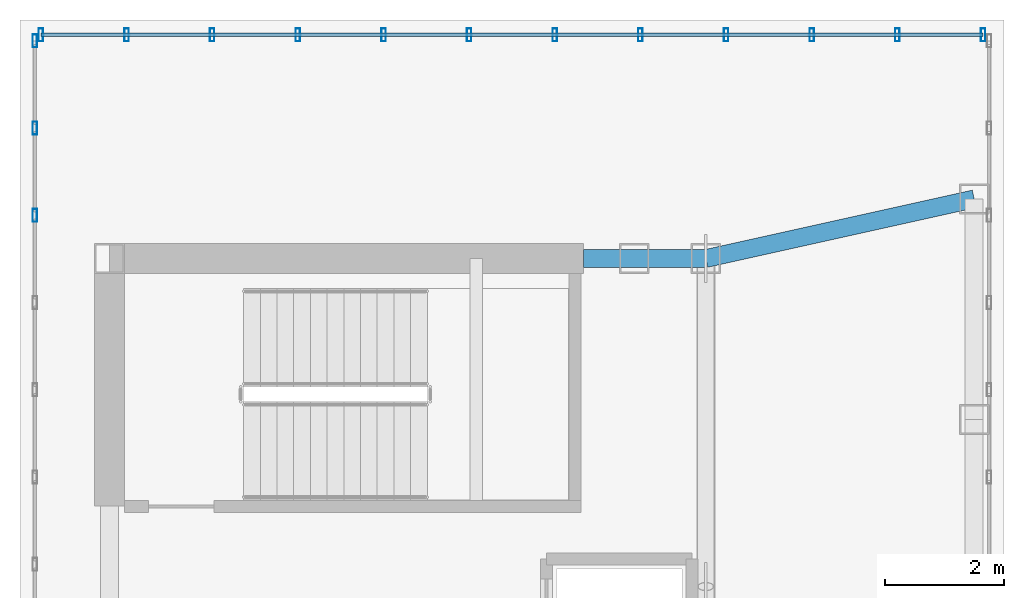
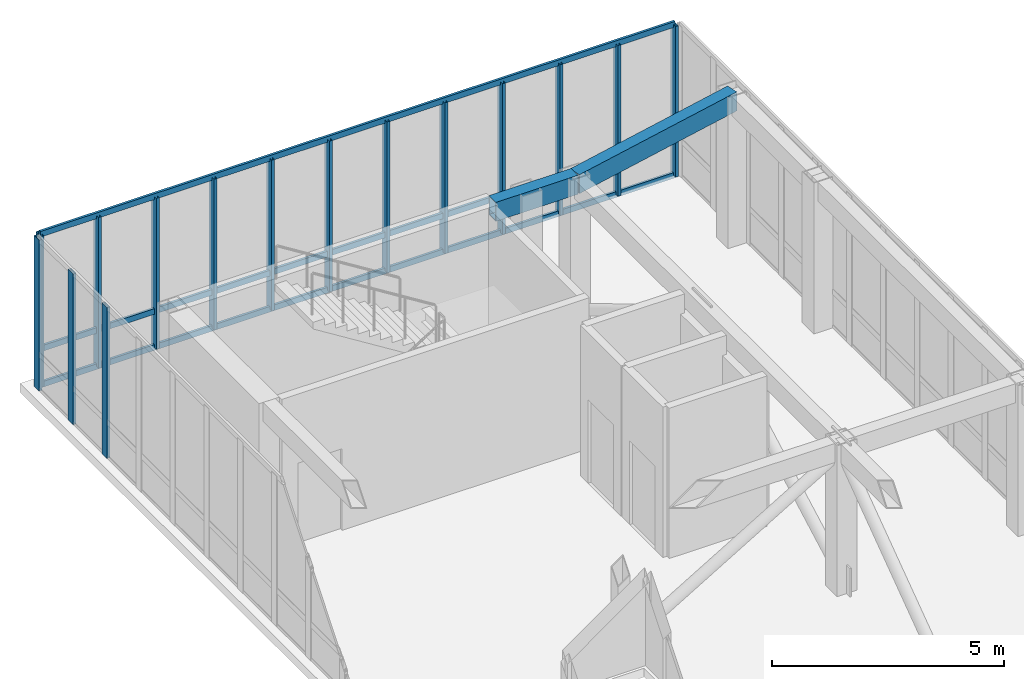
# One storey, part 9 of 13: 18 members, 2 beams, 2 elements without a shape of their own.
"""IFC4 building model written with IfcOpenShell, lengths in metres."""

from ifc_helpers import new_model, si_unit, direction, frame, origin, origin_2d, place, context, subcontext, project, spatial, hollow_rectangle, extrude, source, transform, mapped, material, layer, layer_set, material_profile, profile_set, type_object, element, aggregate, save


model = new_model("IFC4")

# Units and contexts
model_context = context("Model", 3, precision=1e-05, world=origin(), true_north=direction((0.0, 1.0)))
body_context = subcontext(model_context, "Body", "Model", "MODEL_VIEW")
ifc_project = project(units=[si_unit("LENGTHUNIT", "METRE"), si_unit("AREAUNIT", "SQUARE_METRE"), si_unit("VOLUMEUNIT", "CUBIC_METRE"), si_unit("PLANEANGLEUNIT", "RADIAN"), si_unit("MASSUNIT", "GRAM", prefix="KILO")], contexts=[model_context])

# Site, building, storey
site_placement = place(None, origin())
site = spatial("IfcSite", under=ifc_project, at=site_placement, CompositionType="ELEMENT")
building_placement = place(site_placement, origin())
building = spatial("IfcBuilding", under=site, at=building_placement, Name="Kharzan Plaza Tower", CompositionType="ELEMENT")
storey_placement = place(building_placement, frame((0.0, 0.0, 289.800048828125)))
storey = spatial("IfcBuildingStorey", under=building, at=storey_placement, Name="L78-CROWN", CompositionType="ELEMENT", Elevation=289.800048828125)

# Beams
ifc_material_1 = material(Name="Steel S355", Category="steel")
ifc_material_profile_1 = material_profile(ifc_material_1, hollow_rectangle(XDim=0.300048828125, YDim=0.5, WallThickness=0.02001953125, at=origin_2d()), Name="RHS500x300x20")
ifc_profile_set_1 = profile_set([ifc_material_profile_1], Name="Steel S355")
beam_type = type_object("IfcBeamType", Name="BM-CRN500", PredefinedType="BEAM", material=ifc_profile_set_1)
shared_shape_1 = source(origin(), body_context, "Body", "SweptSolid", [
    extrude(hollow_rectangle(XDim=0.300048828125, YDim=0.5, WallThickness=0.02001953125, at=origin_2d()), origin(), (0.0, 0.0, 1.0), 2.050048828125),
])
beam_1_placement = place(storey_placement, frame((12.449951171875, 29.5, 3.719970703125), z_axis=(1.0, 0.0, 0.0), x_axis=(0.0, 1.0, 0.0)))
element("IfcBeam", 1, at=beam_1_placement, inside=storey, type_object=beam_type, Name="L78-CROWN CROWN FRAME Lantern Ring Beam CRB-N2", PredefinedType="BEAM", context=body_context, shape_type="MappedRepresentation", body=[
    mapped(shared_shape_1, transform((0.0, 0.0, 0.0), x_axis=(1.0, 0.0, 0.0), y_axis=(0.0, 1.0, 0.0), z_axis=(0.0, 0.0, 1.0))),
])
shared_shape_2 = source(origin(), body_context, "Body", "SweptSolid", [
    extrude(hollow_rectangle(XDim=0.300048828125, YDim=0.5, WallThickness=0.02001953125, at=origin_2d()), origin(), (0.0, 0.0, 1.0), 4.60986328125),
])
beam_2_placement = place(storey_placement, frame((14.5, 29.5, 3.719970703125), z_axis=(0.976187060184, 0.216930457819, 0.0), x_axis=(-0.216930457819, 0.976187060184, 0.0)))
element("IfcBeam", 2, at=beam_2_placement, inside=storey, type_object=beam_type, Name="L78-CROWN CROWN FRAME Lantern Ring Beam CRB-N3", PredefinedType="BEAM", context=body_context, shape_type="MappedRepresentation", body=[
    mapped(shared_shape_2, transform((0.0, 0.0, 0.0), x_axis=(1.0, 0.0, 0.0), y_axis=(0.0, 1.0, 0.0), z_axis=(0.0, 0.0, 1.0))),
])

# Curtain wall, members
ifc_material_2 = material(Name="Unitised Bronze-Anodized Aluminium and Low-E Glass", Category="aluminium")
ifc_layer = layer(ifc_material_2, 0.199951171875)
ifc_layer_set = layer_set([ifc_layer], Name="Unitised Bronze-Anodized Aluminium and Low-E Glass")
curtain_wall_type = type_object("IfcCurtainWallType", Name="CW-LANTERN-6", PredefinedType="NOTDEFINED", material=ifc_layer_set)
curtain_wall_1_placement = place(storey_placement, origin())
curtain_wall_1 = element("IfcCurtainWall", 3, at=curtain_wall_1_placement, inside=storey, type_object=curtain_wall_type, Name="L78-CROWN Lantern Crown Illuminated Curtain Wall 3", PredefinedType="NOTDEFINED")
ifc_material_3 = material(Name="Anodized Bronze Aluminium", Category="aluminium")
ifc_material_profile_2 = material_profile(ifc_material_3, hollow_rectangle(XDim=0.074951171875, YDim=0.219970703125, WallThickness=0.00390625, at=origin_2d()), Name="ALU-M220x75x4")
ifc_profile_set_2 = profile_set([ifc_material_profile_2], Name="Anodized Bronze Aluminium")
member_type_1 = type_object("IfcMemberType", Name="MEM-CW-MUL200", PredefinedType="MULLION", material=ifc_profile_set_2)
shared_shape_3 = source(origin(), body_context, "Body", "SweptSolid", [
    extrude(hollow_rectangle(XDim=0.074951171875, YDim=0.219970703125, WallThickness=0.00390625, at=origin_2d()), origin(), (0.0, 0.0, 1.0), 3.969970703125),
])
member_1_placement = place(storey_placement, frame((19.14990234375, 33.25, 0.0), z_axis=(0.0, 0.0, 1.0), x_axis=(1.0, 0.0, 0.0)))
member_1 = element("IfcMember", 4, at=member_1_placement, type_object=member_type_1, Name="L78-CROWN Curtain-Wall Mullion 00", PredefinedType="MULLION", context=body_context, shape_type="MappedRepresentation", body=[
    mapped(shared_shape_3, transform((0.0, 0.0, 0.0), x_axis=(1.0, 0.0, 0.0), y_axis=(0.0, 1.0, 0.0), z_axis=(0.0, 0.0, 1.0))),
])
member_2_placement = place(storey_placement, frame((17.713623046875, 33.25, 0.0), z_axis=(0.0, 0.0, 1.0), x_axis=(1.0, 0.0, 0.0)))
member_2 = element("IfcMember", 5, at=member_2_placement, type_object=member_type_1, Name="L78-CROWN Curtain-Wall Mullion 01", PredefinedType="MULLION", context=body_context, shape_type="MappedRepresentation", body=[
    mapped(shared_shape_3, transform((0.0, 0.0, 0.0), x_axis=(1.0, 0.0, 0.0), y_axis=(0.0, 1.0, 0.0), z_axis=(0.0, 0.0, 1.0))),
])
member_3_placement = place(storey_placement, frame((16.27734375, 33.25, 0.0), z_axis=(0.0, 0.0, 1.0), x_axis=(1.0, 0.0, 0.0)))
member_3 = element("IfcMember", 6, at=member_3_placement, type_object=member_type_1, Name="L78-CROWN Curtain-Wall Mullion 02", PredefinedType="MULLION", context=body_context, shape_type="MappedRepresentation", body=[
    mapped(shared_shape_3, transform((0.0, 0.0, 0.0), x_axis=(1.0, 0.0, 0.0), y_axis=(0.0, 1.0, 0.0), z_axis=(0.0, 0.0, 1.0))),
])
member_4_placement = place(storey_placement, frame((14.8408203125, 33.25, 0.0), z_axis=(0.0, 0.0, 1.0), x_axis=(1.0, 0.0, 0.0)))
member_4 = element("IfcMember", 7, at=member_4_placement, type_object=member_type_1, Name="L78-CROWN Curtain-Wall Mullion 03", PredefinedType="MULLION", context=body_context, shape_type="MappedRepresentation", body=[
    mapped(shared_shape_3, transform((0.0, 0.0, 0.0), x_axis=(1.0, 0.0, 0.0), y_axis=(0.0, 1.0, 0.0), z_axis=(0.0, 0.0, 1.0))),
])
member_5_placement = place(storey_placement, frame((13.404541015625, 33.25, 0.0), z_axis=(0.0, 0.0, 1.0), x_axis=(1.0, 0.0, 0.0)))
member_5 = element("IfcMember", 8, at=member_5_placement, type_object=member_type_1, Name="L78-CROWN Curtain-Wall Mullion 04", PredefinedType="MULLION", context=body_context, shape_type="MappedRepresentation", body=[
    mapped(shared_shape_3, transform((0.0, 0.0, 0.0), x_axis=(1.0, 0.0, 0.0), y_axis=(0.0, 1.0, 0.0), z_axis=(0.0, 0.0, 1.0))),
])
member_6_placement = place(storey_placement, frame((11.96826171875, 33.25, 0.0), z_axis=(0.0, 0.0, 1.0), x_axis=(1.0, 0.0, 0.0)))
member_6 = element("IfcMember", 9, at=member_6_placement, type_object=member_type_1, Name="L78-CROWN Curtain-Wall Mullion 05", PredefinedType="MULLION", context=body_context, shape_type="MappedRepresentation", body=[
    mapped(shared_shape_3, transform((0.0, 0.0, 0.0), x_axis=(1.0, 0.0, 0.0), y_axis=(0.0, 1.0, 0.0), z_axis=(0.0, 0.0, 1.0))),
])
member_7_placement = place(storey_placement, frame((10.53173828125, 33.25, 0.0), z_axis=(0.0, 0.0, 1.0), x_axis=(1.0, 0.0, 0.0)))
member_7 = element("IfcMember", 10, at=member_7_placement, type_object=member_type_1, Name="L78-CROWN Curtain-Wall Mullion 06", PredefinedType="MULLION", context=body_context, shape_type="MappedRepresentation", body=[
    mapped(shared_shape_3, transform((0.0, 0.0, 0.0), x_axis=(1.0, 0.0, 0.0), y_axis=(0.0, 1.0, 0.0), z_axis=(0.0, 0.0, 1.0))),
])
member_8_placement = place(storey_placement, frame((9.095458984375, 33.25, 0.0), z_axis=(0.0, 0.0, 1.0), x_axis=(1.0, 0.0, 0.0)))
member_8 = element("IfcMember", 11, at=member_8_placement, type_object=member_type_1, Name="L78-CROWN Curtain-Wall Mullion 07", PredefinedType="MULLION", context=body_context, shape_type="MappedRepresentation", body=[
    mapped(shared_shape_3, transform((0.0, 0.0, 0.0), x_axis=(1.0, 0.0, 0.0), y_axis=(0.0, 1.0, 0.0), z_axis=(0.0, 0.0, 1.0))),
])
member_9_placement = place(storey_placement, frame((7.6591796875, 33.25, 0.0), z_axis=(0.0, 0.0, 1.0), x_axis=(1.0, 0.0, 0.0)))
member_9 = element("IfcMember", 12, at=member_9_placement, type_object=member_type_1, Name="L78-CROWN Curtain-Wall Mullion 08", PredefinedType="MULLION", context=body_context, shape_type="MappedRepresentation", body=[
    mapped(shared_shape_3, transform((0.0, 0.0, 0.0), x_axis=(1.0, 0.0, 0.0), y_axis=(0.0, 1.0, 0.0), z_axis=(0.0, 0.0, 1.0))),
])
member_10_placement = place(storey_placement, frame((6.22265625, 33.25, 0.0), z_axis=(0.0, 0.0, 1.0), x_axis=(1.0, 0.0, 0.0)))
member_10 = element("IfcMember", 13, at=member_10_placement, type_object=member_type_1, Name="L78-CROWN Curtain-Wall Mullion 09", PredefinedType="MULLION", context=body_context, shape_type="MappedRepresentation", body=[
    mapped(shared_shape_3, transform((0.0, 0.0, 0.0), x_axis=(1.0, 0.0, 0.0), y_axis=(0.0, 1.0, 0.0), z_axis=(0.0, 0.0, 1.0))),
])
member_11_placement = place(storey_placement, frame((4.786376953125, 33.25, 0.0), z_axis=(0.0, 0.0, 1.0), x_axis=(1.0, 0.0, 0.0)))
member_11 = element("IfcMember", 14, at=member_11_placement, type_object=member_type_1, Name="L78-CROWN Curtain-Wall Mullion 10", PredefinedType="MULLION", context=body_context, shape_type="MappedRepresentation", body=[
    mapped(shared_shape_3, transform((0.0, 0.0, 0.0), x_axis=(1.0, 0.0, 0.0), y_axis=(0.0, 1.0, 0.0), z_axis=(0.0, 0.0, 1.0))),
])
member_12_placement = place(storey_placement, frame((3.35009765625, 33.25, 0.0), z_axis=(0.0, 0.0, 1.0), x_axis=(1.0, 0.0, 0.0)))
member_12 = element("IfcMember", 15, at=member_12_placement, type_object=member_type_1, Name="L78-CROWN Curtain-Wall Mullion 11", PredefinedType="MULLION", context=body_context, shape_type="MappedRepresentation", body=[
    mapped(shared_shape_3, transform((0.0, 0.0, 0.0), x_axis=(1.0, 0.0, 0.0), y_axis=(0.0, 1.0, 0.0), z_axis=(0.0, 0.0, 1.0))),
])

curtain_wall_2_placement = place(storey_placement, origin())
curtain_wall_2 = element("IfcCurtainWall", 16, at=curtain_wall_2_placement, inside=storey, type_object=curtain_wall_type, Name="L78-CROWN Lantern Crown Illuminated Curtain Wall 4", PredefinedType="NOTDEFINED")
member_13_placement = place(storey_placement, frame((3.25, 33.14990234375, 0.0), z_axis=(0.0, 0.0, 1.0), x_axis=(1.0, 0.0, 0.0)))
member_13 = element("IfcMember", 17, at=member_13_placement, type_object=member_type_1, Name="L78-CROWN Curtain-Wall Mullion 00", PredefinedType="MULLION", context=body_context, shape_type="MappedRepresentation", body=[
    mapped(shared_shape_3, transform((0.0, 0.0, 0.0), x_axis=(1.0, 0.0, 0.0), y_axis=(0.0, 1.0, 0.0), z_axis=(0.0, 0.0, 1.0))),
])
member_14_placement = place(storey_placement, frame((3.25, 31.686767578125, 0.0), z_axis=(0.0, 0.0, 1.0), x_axis=(1.0, 0.0, 0.0)))
member_14 = element("IfcMember", 18, at=member_14_placement, type_object=member_type_1, Name="L78-CROWN Curtain-Wall Mullion 01", PredefinedType="MULLION", context=body_context, shape_type="MappedRepresentation", body=[
    mapped(shared_shape_3, transform((0.0, 0.0, 0.0), x_axis=(1.0, 0.0, 0.0), y_axis=(0.0, 1.0, 0.0), z_axis=(0.0, 0.0, 1.0))),
])
member_15_placement = place(storey_placement, frame((3.25, 30.2236328125, 0.0), z_axis=(0.0, 0.0, 1.0), x_axis=(1.0, 0.0, 0.0)))
member_15 = element("IfcMember", 19, at=member_15_placement, type_object=member_type_1, Name="L78-CROWN Curtain-Wall Mullion 02", PredefinedType="MULLION", context=body_context, shape_type="MappedRepresentation", body=[
    mapped(shared_shape_3, transform((0.0, 0.0, 0.0), x_axis=(1.0, 0.0, 0.0), y_axis=(0.0, 1.0, 0.0), z_axis=(0.0, 0.0, 1.0))),
])
aggregate(curtain_wall_2, [member_13, member_14, member_15])

# Member
ifc_material_profile_3 = material_profile(ifc_material_3, hollow_rectangle(XDim=0.06005859375, YDim=0.14990234375, WallThickness=0.00341796875, at=origin_2d()), Name="ALU-T150x60x3.5")
ifc_profile_set_3 = profile_set([ifc_material_profile_3], Name="Anodized Bronze Aluminium")
member_type_2 = type_object("IfcMemberType", Name="MEM-CW-TRN150", PredefinedType="USERDEFINED", material=ifc_profile_set_3)
shared_shape_4 = source(origin(), body_context, "Body", "SweptSolid", [
    extrude(hollow_rectangle(XDim=0.06005859375, YDim=0.14990234375, WallThickness=0.00341796875, at=origin_2d()), origin(), (0.0, 0.0, 1.0), 15.7998046875),
])
member_16_placement = place(storey_placement, frame((19.14990234375, 33.25, 0.0), z_axis=(-1.0, 0.0, 0.0), x_axis=(0.0, -1.0, 0.0)))
member_16 = element("IfcMember", 20, at=member_16_placement, type_object=member_type_2, Name="L78-CROWN Curtain-Wall Transom 1", ObjectType="TRANSOM", PredefinedType="USERDEFINED", context=body_context, shape_type="MappedRepresentation", body=[
    mapped(shared_shape_4, transform((0.0, 0.0, 0.0), x_axis=(1.0, 0.0, 0.0), y_axis=(0.0, 1.0, 0.0), z_axis=(0.0, 0.0, 1.0))),
])

member_17_placement = place(storey_placement, frame((19.14990234375, 33.25, 0.949951171875), z_axis=(-1.0, 0.0, 0.0), x_axis=(0.0, -1.0, 0.0)))
member_17 = element("IfcMember", 21, at=member_17_placement, type_object=member_type_2, Name="L78-CROWN Curtain-Wall Transom 2", ObjectType="TRANSOM", PredefinedType="USERDEFINED", context=body_context, shape_type="MappedRepresentation", body=[
    mapped(shared_shape_4, transform((0.0, 0.0, 0.0), x_axis=(1.0, 0.0, 0.0), y_axis=(0.0, 1.0, 0.0), z_axis=(0.0, 0.0, 1.0))),
])

member_18_placement = place(storey_placement, frame((19.14990234375, 33.25, 3.969970703125), z_axis=(-1.0, 0.0, 0.0), x_axis=(0.0, -1.0, 0.0)))
member_18 = element("IfcMember", 22, at=member_18_placement, type_object=member_type_2, Name="L78-CROWN Curtain-Wall Transom 3", ObjectType="TRANSOM", PredefinedType="USERDEFINED", context=body_context, shape_type="MappedRepresentation", body=[
    mapped(shared_shape_4, transform((0.0, 0.0, 0.0), x_axis=(1.0, 0.0, 0.0), y_axis=(0.0, 1.0, 0.0), z_axis=(0.0, 0.0, 1.0))),
])

aggregate(curtain_wall_1, [member_1, member_2, member_3, member_4, member_5, member_6, member_7, member_8, member_9, member_10, member_11, member_12, member_16, member_17, member_18])

save(model, "model.ifc")
